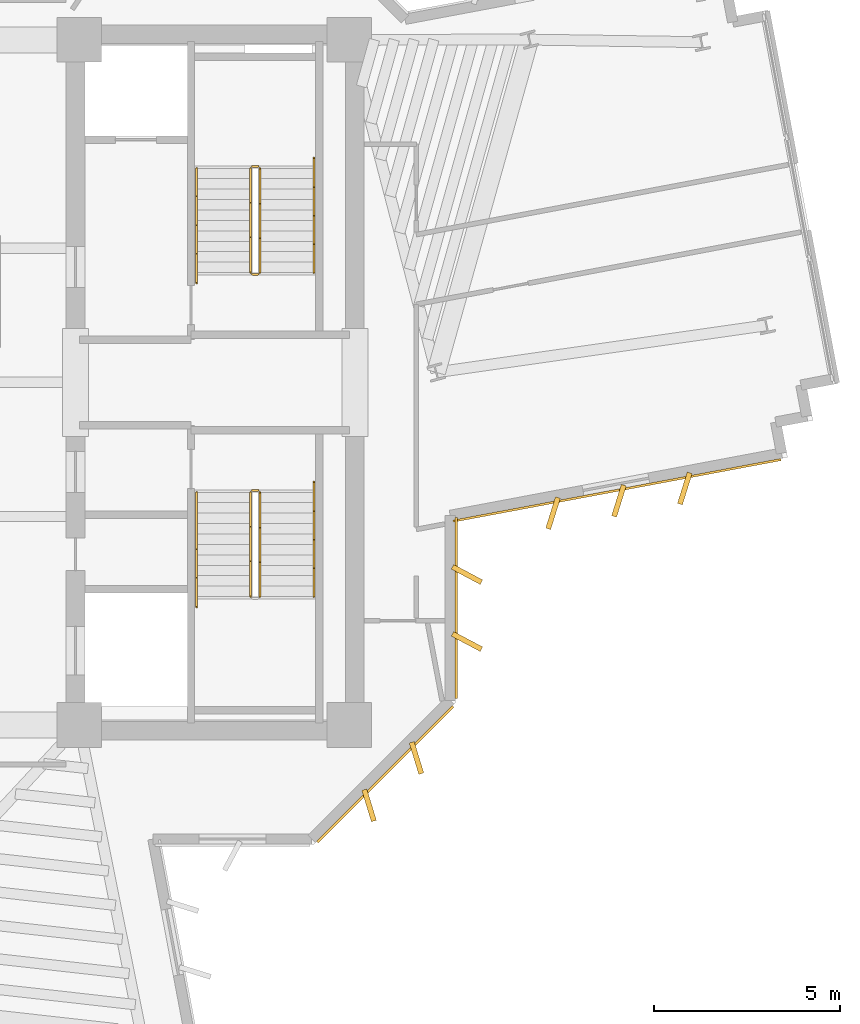
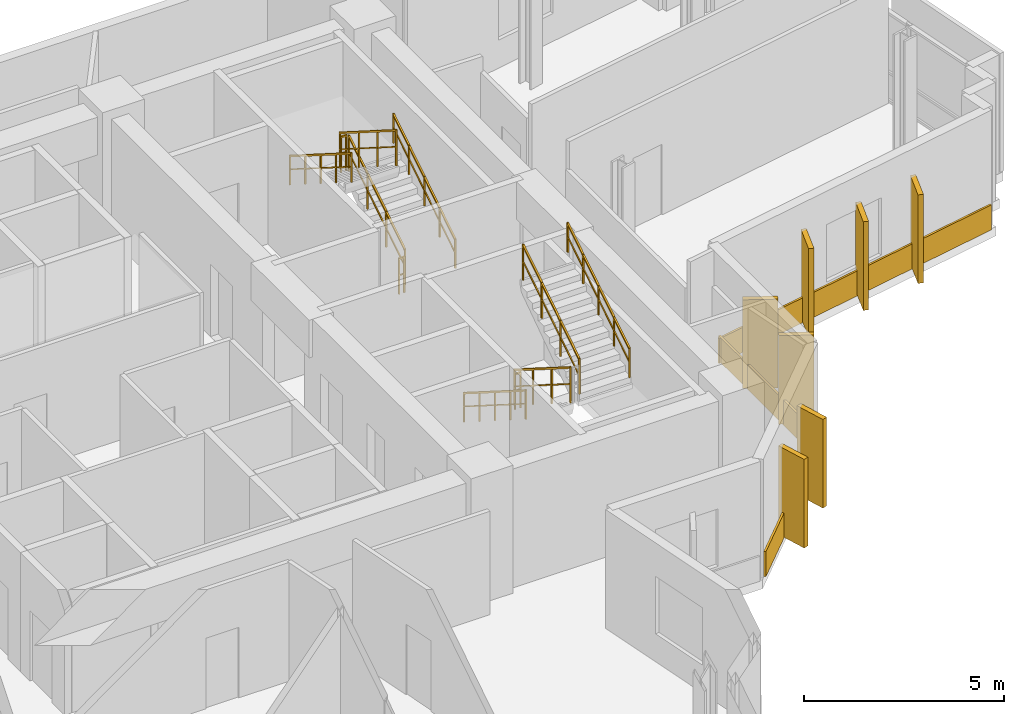
# One storey, part 15 of 16: 11 railings, 10 coverings.
"""IFC4 building model written with IfcOpenShell, lengths in metres."""

from ifc_helpers import new_model, si_unit, direction, frame, origin, origin_2d, place, context, subcontext, project, spatial, rectangle, extrude, source, transform, mapped, material, layer, layer_set, type_object, element, save


model = new_model("IFC4")

# Units and contexts
model_context = context("Model", 3, precision=1e-05, world=origin(), true_north=direction((0.0, 1.0)))
body_context = subcontext(model_context, "Body", "Model", "MODEL_VIEW")
ifc_project = project(units=[si_unit("LENGTHUNIT", "METRE"), si_unit("AREAUNIT", "SQUARE_METRE"), si_unit("VOLUMEUNIT", "CUBIC_METRE"), si_unit("PLANEANGLEUNIT", "RADIAN"), si_unit("MASSUNIT", "GRAM", prefix="KILO")], contexts=[model_context])

# Site, building, storey
site_placement = place(None, origin())
site = spatial("IfcSite", under=ifc_project, at=site_placement, CompositionType="ELEMENT")
building_placement = place(site_placement, origin())
building = spatial("IfcBuilding", under=site, at=building_placement, Name="Zahravan Cultural Tower", CompositionType="ELEMENT")
storey_placement = place(building_placement, frame((0.0, 0.0, 147.300048828125)))
storey = spatial("IfcBuildingStorey", under=building, at=storey_placement, Name="L33", CompositionType="ELEMENT", Elevation=147.300048828125)

# Railings
ifc_material_1 = material(Name="Steel ASTM A572 Grade 50", Category="steel")
railing_type_1 = type_object("IfcRailingType", Name="RL-STAIR-GRD1150", PredefinedType="BALUSTRADE", material=ifc_material_1)
railing_1_placement = place(storey_placement, frame((47.949951171875, 29.949951171875, 0.17724609375)))
element("IfcRailing", 1, at=railing_1_placement, inside=storey, type_object=railing_type_1, Name="L33 ST-E1 stair guard 1", PredefinedType="BALUSTRADE", context=body_context, shape_type="SweptSolid", body=[
    extrude(rectangle(XDim=0.05, YDim=0.05, at=origin_2d()), frame((0.0, 0.0, 1.0751953125), z_axis=(0.0, 0.844908973607, 0.534910110503), x_axis=(-1.0, 0.0, 0.0)), (0.0, 0.0, 1.0), 3.31396484375),
    extrude(rectangle(XDim=0.032, YDim=0.032, at=origin_2d()), frame((0.0, 0.0, 0.572021484375), z_axis=(0.0, 0.844908973607, 0.534910110503), x_axis=(-1.0, 0.0, 0.0)), (0.0, 0.0, 1.0), 3.31396484375),
    extrude(rectangle(XDim=0.04, YDim=0.04, at=origin_2d()), origin(), (0.0, 0.0, 1.0), 1.10009765625),
    extrude(rectangle(XDim=0.04, YDim=0.04, at=origin_2d()), frame((0.0, 0.933349609375, 0.5908203125)), (0.0, 0.0, 1.0), 1.10009765625),
    extrude(rectangle(XDim=0.04, YDim=0.04, at=origin_2d()), frame((0.0, 1.86669921875, 1.181884765625)), (0.0, 0.0, 1.0), 1.10009765625),
    extrude(rectangle(XDim=0.04, YDim=0.04, at=origin_2d()), frame((0.0, 2.800048828125, 1.772705078125)), (0.0, 0.0, 1.0), 1.10009765625),
])
railing_2_placement = place(storey_placement, frame((47.89990234375, 32.800048828125, 1.949951171875)))
element("IfcRailing", 2, at=railing_2_placement, inside=storey, type_object=railing_type_1, Name="L33 ST-E1 stair guard 2", PredefinedType="BALUSTRADE", context=body_context, shape_type="SweptSolid", body=[
    extrude(rectangle(XDim=0.05, YDim=0.05, at=origin_2d()), frame((0.0, 0.0, 1.0751953125), z_axis=(-1.0, 0.0, 0.0), x_axis=(0.0, -1.0, 0.0)), (0.0, 0.0, 1.0), 0.14990234375),
    extrude(rectangle(XDim=0.032, YDim=0.032, at=origin_2d()), frame((0.0, 0.0, 0.572021484375), z_axis=(-1.0, 0.0, 0.0), x_axis=(0.0, -1.0, 0.0)), (0.0, 0.0, 1.0), 0.14990234375),
    extrude(rectangle(XDim=0.04, YDim=0.04, at=origin_2d()), origin(), (0.0, 0.0, 1.0), 1.10009765625),
    extrude(rectangle(XDim=0.04, YDim=0.04, at=origin_2d()), frame((-0.14990234375, 0.0, 0.0)), (0.0, 0.0, 1.0), 1.10009765625),
])
railing_3_placement = place(storey_placement, frame((47.699951171875, 32.75, 2.127197265625)))
element("IfcRailing", 3, at=railing_3_placement, inside=storey, type_object=railing_type_1, Name="L33 ST-E1 stair guard 3", PredefinedType="BALUSTRADE", context=body_context, shape_type="SweptSolid", body=[
    extrude(rectangle(XDim=0.05, YDim=0.05, at=origin_2d()), frame((0.0, 0.0, 1.0751953125), z_axis=(0.0, -0.844908973607, 0.534910110503), x_axis=(1.0, 0.0, 0.0)), (0.0, 0.0, 1.0), 3.31396484375),
    extrude(rectangle(XDim=0.032, YDim=0.032, at=origin_2d()), frame((0.0, 0.0, 0.572021484375), z_axis=(0.0, -0.844908973607, 0.534910110503), x_axis=(1.0, 0.0, 0.0)), (0.0, 0.0, 1.0), 3.31396484375),
    extrude(rectangle(XDim=0.04, YDim=0.04, at=origin_2d()), origin(), (0.0, 0.0, 1.0), 1.10009765625),
    extrude(rectangle(XDim=0.04, YDim=0.04, at=origin_2d()), frame((0.0, -0.933349609375, 0.5908203125)), (0.0, 0.0, 1.0), 1.10009765625),
    extrude(rectangle(XDim=0.04, YDim=0.04, at=origin_2d()), frame((0.0, -1.86669921875, 1.181884765625)), (0.0, 0.0, 1.0), 1.10009765625),
    extrude(rectangle(XDim=0.04, YDim=0.04, at=origin_2d()), frame((0.0, -2.800048828125, 1.772705078125)), (0.0, 0.0, 1.0), 1.10009765625),
])
railing_4_placement = place(storey_placement, frame((47.89990234375, 29.89990234375, 0.0)))
element("IfcRailing", 4, at=railing_4_placement, inside=storey, type_object=railing_type_1, Name="L33 ST-E1 stair guard 4", PredefinedType="BALUSTRADE", context=body_context, shape_type="SweptSolid", body=[
    extrude(rectangle(XDim=0.05, YDim=0.05, at=origin_2d()), frame((0.0, 0.0, 1.0751953125), z_axis=(-1.0, 0.0, 0.0), x_axis=(0.0, -1.0, 0.0)), (0.0, 0.0, 1.0), 0.14990234375),
    extrude(rectangle(XDim=0.032, YDim=0.032, at=origin_2d()), frame((0.0, 0.0, 0.572021484375), z_axis=(-1.0, 0.0, 0.0), x_axis=(0.0, -1.0, 0.0)), (0.0, 0.0, 1.0), 0.14990234375),
    extrude(rectangle(XDim=0.04, YDim=0.04, at=origin_2d()), origin(), (0.0, 0.0, 1.0), 1.10009765625),
    extrude(rectangle(XDim=0.04, YDim=0.04, at=origin_2d()), frame((-0.14990234375, 0.0, 0.0)), (0.0, 0.0, 1.0), 1.10009765625),
])
railing_5_placement = place(storey_placement, frame((47.699951171875, 24.050048828125, 0.17724609375)))
element("IfcRailing", 5, at=railing_5_placement, inside=storey, type_object=railing_type_1, Name="L33 ST-E2 stair guard 1", PredefinedType="BALUSTRADE", context=body_context, shape_type="SweptSolid", body=[
    extrude(rectangle(XDim=0.05, YDim=0.05, at=origin_2d()), frame((0.0, 0.0, 1.0751953125), z_axis=(0.0, -0.844908973607, 0.534910110503), x_axis=(1.0, 0.0, 0.0)), (0.0, 0.0, 1.0), 3.31396484375),
    extrude(rectangle(XDim=0.032, YDim=0.032, at=origin_2d()), frame((0.0, 0.0, 0.572021484375), z_axis=(0.0, -0.844908973607, 0.534910110503), x_axis=(1.0, 0.0, 0.0)), (0.0, 0.0, 1.0), 3.31396484375),
    extrude(rectangle(XDim=0.04, YDim=0.04, at=origin_2d()), origin(), (0.0, 0.0, 1.0), 1.10009765625),
    extrude(rectangle(XDim=0.04, YDim=0.04, at=origin_2d()), frame((0.0, -0.933349609375, 0.5908203125)), (0.0, 0.0, 1.0), 1.10009765625),
    extrude(rectangle(XDim=0.04, YDim=0.04, at=origin_2d()), frame((0.0, -1.86669921875, 1.181884765625)), (0.0, 0.0, 1.0), 1.10009765625),
    extrude(rectangle(XDim=0.04, YDim=0.04, at=origin_2d()), frame((0.0, -2.800048828125, 1.772705078125)), (0.0, 0.0, 1.0), 1.10009765625),
])
railing_6_placement = place(storey_placement, frame((47.949951171875, 21.25, 2.127197265625)))
element("IfcRailing", 6, at=railing_6_placement, inside=storey, type_object=railing_type_1, Name="L33 ST-E2 stair guard 3", PredefinedType="BALUSTRADE", context=body_context, shape_type="SweptSolid", body=[
    extrude(rectangle(XDim=0.05, YDim=0.05, at=origin_2d()), frame((0.0, 0.0, 1.0751953125), z_axis=(0.0, 0.844908973607, 0.534910110503), x_axis=(-1.0, 0.0, 0.0)), (0.0, 0.0, 1.0), 3.31396484375),
    extrude(rectangle(XDim=0.032, YDim=0.032, at=origin_2d()), frame((0.0, 0.0, 0.572021484375), z_axis=(0.0, 0.844908973607, 0.534910110503), x_axis=(-1.0, 0.0, 0.0)), (0.0, 0.0, 1.0), 3.31396484375),
    extrude(rectangle(XDim=0.04, YDim=0.04, at=origin_2d()), origin(), (0.0, 0.0, 1.0), 1.10009765625),
    extrude(rectangle(XDim=0.04, YDim=0.04, at=origin_2d()), frame((0.0, 0.933349609375, 0.5908203125)), (0.0, 0.0, 1.0), 1.10009765625),
    extrude(rectangle(XDim=0.04, YDim=0.04, at=origin_2d()), frame((0.0, 1.86669921875, 1.181884765625)), (0.0, 0.0, 1.0), 1.10009765625),
    extrude(rectangle(XDim=0.04, YDim=0.04, at=origin_2d()), frame((0.0, 2.800048828125, 1.772705078125)), (0.0, 0.0, 1.0), 1.10009765625),
])
railing_7_placement = place(storey_placement, frame((47.75, 24.10009765625, 0.0)))
element("IfcRailing", 7, at=railing_7_placement, inside=storey, type_object=railing_type_1, Name="L33 ST-E2 stair guard 4", PredefinedType="BALUSTRADE", context=body_context, shape_type="SweptSolid", body=[
    extrude(rectangle(XDim=0.05, YDim=0.05, at=origin_2d()), frame((0.0, 0.0, 1.0751953125), z_axis=(1.0, 0.0, 0.0), x_axis=(0.0, 1.0, 0.0)), (0.0, 0.0, 1.0), 0.14990234375),
    extrude(rectangle(XDim=0.032, YDim=0.032, at=origin_2d()), frame((0.0, 0.0, 0.572021484375), z_axis=(1.0, 0.0, 0.0), x_axis=(0.0, 1.0, 0.0)), (0.0, 0.0, 1.0), 0.14990234375),
    extrude(rectangle(XDim=0.04, YDim=0.04, at=origin_2d()), origin(), (0.0, 0.0, 1.0), 1.10009765625),
    extrude(rectangle(XDim=0.04, YDim=0.04, at=origin_2d()), frame((0.14990234375, 0.0, 0.0)), (0.0, 0.0, 1.0), 1.10009765625),
])
railing_type_2 = type_object("IfcRailingType", Name="RL-STAIR-HR900", PredefinedType="HANDRAIL", material=ifc_material_1)
railing_8_placement = place(storey_placement, frame((49.39990234375, 29.949951171875, 0.17724609375)))
element("IfcRailing", 8, at=railing_8_placement, inside=storey, type_object=railing_type_2, Name="L33 ST-E1 stair handrail 1", PredefinedType="HANDRAIL", context=body_context, shape_type="SweptSolid", body=[
    extrude(rectangle(XDim=0.05, YDim=0.05, at=origin_2d()), frame((0.0, 0.0, 0.875), z_axis=(0.0, 0.844913916606, 0.534902302785), x_axis=(-1.0, 0.0, 0.0)), (0.0, 0.0, 1.0), 3.6455078125),
    extrude(rectangle(XDim=0.032, YDim=0.032, at=origin_2d()), frame((0.0, 0.0, 0.468017578125), z_axis=(0.0, 0.844913916606, 0.534902302785), x_axis=(-1.0, 0.0, 0.0)), (0.0, 0.0, 1.0), 3.6455078125),
    extrude(rectangle(XDim=0.04, YDim=0.04, at=origin_2d()), origin(), (0.0, 0.0, 1.0), 0.89990234375),
    extrude(rectangle(XDim=0.04, YDim=0.04, at=origin_2d()), frame((0.0, 0.77001953125, 0.487548828125)), (0.0, 0.0, 1.0), 0.89990234375),
    extrude(rectangle(XDim=0.04, YDim=0.04, at=origin_2d()), frame((0.0, 1.5400390625, 0.97509765625)), (0.0, 0.0, 1.0), 0.89990234375),
    extrude(rectangle(XDim=0.04, YDim=0.04, at=origin_2d()), frame((0.0, 2.31005859375, 1.46240234375)), (0.0, 0.0, 1.0), 0.89990234375),
    extrude(rectangle(XDim=0.04, YDim=0.04, at=origin_2d()), frame((0.0, 3.080078125, 1.949951171875)), (0.0, 0.0, 1.0), 0.89990234375),
])
for number, where, name in (
    (9, (46.25, 32.75, 2.127197265625), "L33 ST-E1 stair handrail 2"),
    (10, (46.25, 24.050048828125, 0.17724609375), "L33 ST-E2 stair handrail 1"),
):
    element("IfcRailing", number, at=place(storey_placement, frame(where)), inside=storey, type_object=railing_type_2, Name=name, PredefinedType="HANDRAIL", context=body_context, shape_type="SweptSolid", body=[
        extrude(rectangle(XDim=0.05, YDim=0.05, at=origin_2d()), frame((0.0, 0.0, 0.875), z_axis=(0.0, -0.844913916606, 0.534902302785), x_axis=(1.0, 0.0, 0.0)), (0.0, 0.0, 1.0), 3.6455078125),
        extrude(rectangle(XDim=0.032, YDim=0.032, at=origin_2d()), frame((0.0, 0.0, 0.468017578125), z_axis=(0.0, -0.844913916606, 0.534902302785), x_axis=(1.0, 0.0, 0.0)), (0.0, 0.0, 1.0), 3.6455078125),
        extrude(rectangle(XDim=0.04, YDim=0.04, at=origin_2d()), origin(), (0.0, 0.0, 1.0), 0.89990234375),
        extrude(rectangle(XDim=0.04, YDim=0.04, at=origin_2d()), frame((0.0, -0.77001953125, 0.487548828125)), (0.0, 0.0, 1.0), 0.89990234375),
        extrude(rectangle(XDim=0.04, YDim=0.04, at=origin_2d()), frame((0.0, -1.5400390625, 0.97509765625)), (0.0, 0.0, 1.0), 0.89990234375),
        extrude(rectangle(XDim=0.04, YDim=0.04, at=origin_2d()), frame((0.0, -2.31005859375, 1.46240234375)), (0.0, 0.0, 1.0), 0.89990234375),
        extrude(rectangle(XDim=0.04, YDim=0.04, at=origin_2d()), frame((0.0, -3.080078125, 1.949951171875)), (0.0, 0.0, 1.0), 0.89990234375),
    ])
railing_9_placement = place(storey_placement, frame((49.39990234375, 21.25, 2.127197265625)))
element("IfcRailing", 11, at=railing_9_placement, inside=storey, type_object=railing_type_2, Name="L33 ST-E2 stair handrail 2", PredefinedType="HANDRAIL", context=body_context, shape_type="SweptSolid", body=[
    extrude(rectangle(XDim=0.05, YDim=0.05, at=origin_2d()), frame((0.0, 0.0, 0.875), z_axis=(0.0, 0.844913916606, 0.534902302785), x_axis=(-1.0, 0.0, 0.0)), (0.0, 0.0, 1.0), 3.6455078125),
    extrude(rectangle(XDim=0.032, YDim=0.032, at=origin_2d()), frame((0.0, 0.0, 0.468017578125), z_axis=(0.0, 0.844913916606, 0.534902302785), x_axis=(-1.0, 0.0, 0.0)), (0.0, 0.0, 1.0), 3.6455078125),
    extrude(rectangle(XDim=0.04, YDim=0.04, at=origin_2d()), origin(), (0.0, 0.0, 1.0), 0.89990234375),
    extrude(rectangle(XDim=0.04, YDim=0.04, at=origin_2d()), frame((0.0, 0.77001953125, 0.487548828125)), (0.0, 0.0, 1.0), 0.89990234375),
    extrude(rectangle(XDim=0.04, YDim=0.04, at=origin_2d()), frame((0.0, 1.5400390625, 0.97509765625)), (0.0, 0.0, 1.0), 0.89990234375),
    extrude(rectangle(XDim=0.04, YDim=0.04, at=origin_2d()), frame((0.0, 2.31005859375, 1.46240234375)), (0.0, 0.0, 1.0), 0.89990234375),
    extrude(rectangle(XDim=0.04, YDim=0.04, at=origin_2d()), frame((0.0, 3.080078125, 1.949951171875)), (0.0, 0.0, 1.0), 0.89990234375),
])

# Coverings
ifc_material_2 = material(Name="Terracotta ceramic cladding", Category="masonry")
ifc_layer = layer(ifc_material_2, 0.06005859375)
ifc_layer_set = layer_set([ifc_layer], Name="Terracotta ceramic cladding")
covering_type = type_object("IfcCoveringType", Name="COV-CLAD-TC60", PredefinedType="CLADDING", material=ifc_layer_set)
shared_shape_1 = source(origin(), body_context, "Body", "SweptSolid", [
    extrude(rectangle(XDim=5.157958984375, YDim=0.06005859375, at=origin_2d()), origin(), (0.0, 0.0, 1.0), 0.760009765625),
])
covering_1_placement = place(storey_placement, frame((51.317626953125, 16.482421875, 0.02001953125), z_axis=(0.0, 0.0, 1.0), x_axis=(-0.707106781187, -0.707106781187, 0.0)))
element("IfcCovering", 12, at=covering_1_placement, inside=storey, type_object=covering_type, Name="L33 Terracotta Spandrel Cladding 12", PredefinedType="CLADDING", context=body_context, shape_type="MappedRepresentation", body=[
    mapped(shared_shape_1, transform((0.0, 0.0, 0.0), x_axis=(1.0, 0.0, 0.0), y_axis=(0.0, 1.0, 0.0), z_axis=(0.0, 0.0, 1.0), scale=1.0)),
])
shared_shape_2 = source(origin(), body_context, "Body", "SweptSolid", [
    extrude(rectangle(XDim=0.8798828125, YDim=0.139892578125, at=origin_2d()), origin(), (0.0, 0.0, 1.0), 2.699951171875),
])
for number, where, z_axis, x_axis, name in (
    (13, (59.360595703125, 24.154296875, 0.0498046875), (0.0, 0.0, 1.0), (-0.298374534012, -0.954448865814, 0.0), "L33 Herringbone Terracotta Fin 04"),
    (14, (57.591552734375, 23.822021484375, 0.0498046875), (0.0, 0.0, 1.0), (-0.298374534012, -0.954448865814, 0.0), "L33 Herringbone Terracotta Fin 05"),
    (15, (55.822509765625, 23.489501953125, 0.0498046875), (0.0, 0.0, 1.0), (-0.298374534012, -0.954448865814, 0.0), "L33 Herringbone Terracotta Fin 06"),
    (16, (53.510009765625, 21.84326171875, 0.0498046875), (0.0, 0.0, 1.0), (0.882947592859, -0.469471562786, 0.0), "L33 Herringbone Terracotta Fin 07"),
    (17, (53.510009765625, 20.043212890625, 0.0498046875), (0.0, 0.0, 1.0), (0.882947592859, -0.469471562786, 0.0), "L33 Herringbone Terracotta Fin 08"),
    (18, (52.155517578125, 16.917236328125, 0.0498046875), (0.0, 0.0, 1.0), (0.292371704723, -0.956304755963, 0.0), "L33 Herringbone Terracotta Fin 09"),
    (19, (50.8828125, 15.644287109375, 0.0498046875), (0.0, 0.0, 1.0), (0.292371704723, -0.956304755963, 0.0), "L33 Herringbone Terracotta Fin 10"),
):
    element("IfcCovering", number, at=place(storey_placement, frame(where, z_axis=z_axis, x_axis=x_axis)), inside=storey, type_object=covering_type, Name=name, PredefinedType="CLADDING", context=body_context, shape_type="MappedRepresentation", body=[
        mapped(shared_shape_2, transform((0.0, 0.0, 0.0), x_axis=(1.0, 0.0, 0.0), y_axis=(0.0, 1.0, 0.0), z_axis=(0.0, 0.0, 1.0), scale=1.0)),
    ])
shared_shape_3 = source(origin(), body_context, "Body", "SweptSolid", [
    extrude(rectangle(XDim=8.952880859375, YDim=0.06005859375, at=origin_2d()), origin(), (0.0, 0.0, 1.0), 0.760009765625),
])
covering_2_placement = place(storey_placement, frame((57.5390625, 24.10205078125, 0.02001953125), z_axis=(0.0, 0.0, 1.0), x_axis=(-0.982806687355, -0.184637524056, 0.0)))
element("IfcCovering", 20, at=covering_2_placement, inside=storey, type_object=covering_type, Name="L33 Terracotta Spandrel Cladding 10", PredefinedType="CLADDING", context=body_context, shape_type="MappedRepresentation", body=[
    mapped(shared_shape_3, transform((0.0, 0.0, 0.0), x_axis=(1.0, 0.0, 0.0), y_axis=(0.0, 1.0, 0.0), z_axis=(0.0, 0.0, 1.0), scale=1.0)),
])
shared_shape_4 = source(origin(), body_context, "Body", "SweptSolid", [
    extrude(rectangle(XDim=4.870361328125, YDim=0.06005859375, at=origin_2d()), origin(), (0.0, 0.0, 1.0), 0.760009765625),
])
covering_3_placement = place(storey_placement, frame((53.22509765625, 20.943115234375, 0.02001953125), z_axis=(0.0, 0.0, 1.0), x_axis=(0.0, -1.0, 0.0)))
element("IfcCovering", 21, at=covering_3_placement, inside=storey, type_object=covering_type, Name="L33 Terracotta Spandrel Cladding 11", PredefinedType="CLADDING", context=body_context, shape_type="MappedRepresentation", body=[
    mapped(shared_shape_4, transform((0.0, 0.0, 0.0), x_axis=(1.0, 0.0, 0.0), y_axis=(0.0, 1.0, 0.0), z_axis=(0.0, 0.0, 1.0), scale=1.0)),
])

save(model, "model.ifc")
